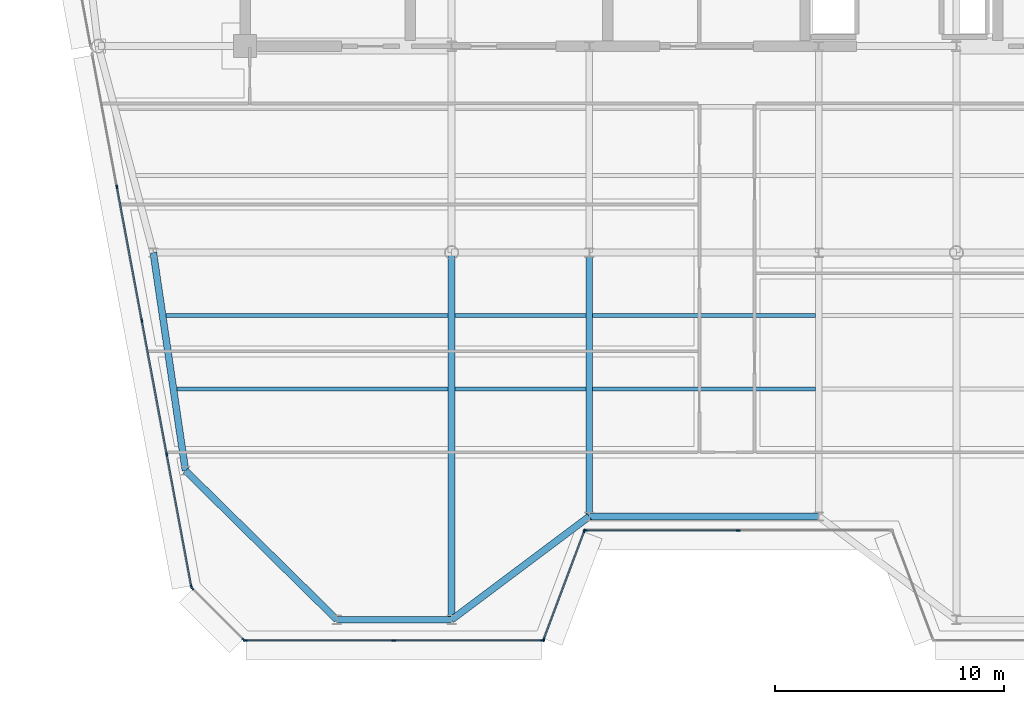
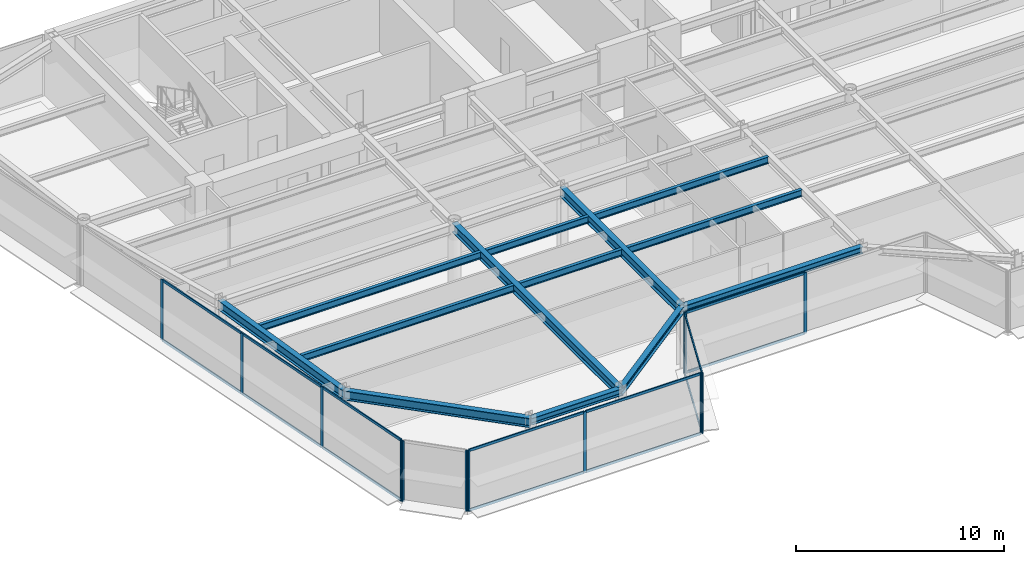
# One storey, part 3 of 18: 27 members, 13 beams, 5 elements without a shape of their own.
"""IFC4 building model written with IfcOpenShell, lengths in metres."""

from ifc_helpers import new_model, si_unit, direction, frame, origin, origin_2d, place, context, subcontext, project, spatial, rectangle, i_section, extrude, source, transform, mapped, material, layer, layer_set, material_profile, profile_set, type_object, element, aggregate, save


model = new_model("IFC4")

# Units and contexts
model_context = context("Model", 3, precision=1e-05, world=origin(), true_north=direction((0.0, 1.0)))
body_context = subcontext(model_context, "Body", "Model", "MODEL_VIEW")
ifc_project = project(units=[si_unit("LENGTHUNIT", "METRE"), si_unit("AREAUNIT", "SQUARE_METRE"), si_unit("VOLUMEUNIT", "CUBIC_METRE"), si_unit("PLANEANGLEUNIT", "RADIAN"), si_unit("MASSUNIT", "GRAM", prefix="KILO")], contexts=[model_context])

# Site, building, storey
site_placement = place(None, origin())
site = spatial("IfcSite", under=ifc_project, at=site_placement, CompositionType="ELEMENT")
building_placement = place(site_placement, origin())
building = spatial("IfcBuilding", under=site, at=building_placement, Name="Vaeldorn Concourse Tower", CompositionType="ELEMENT")
storey_placement = place(building_placement, frame((0.0, 0.0, 257.39990234375)))
storey = spatial("IfcBuildingStorey", under=building, at=storey_placement, Name="L66", CompositionType="ELEMENT", Elevation=257.39990234375)

# Beams
ifc_material_1 = material(Name="Steel S355", Category="steel")
ifc_material_profile_1 = material_profile(ifc_material_1, i_section(OverallWidth=0.300048828125, OverallDepth=0.39990234375, WebThickness=0.013427734375, FlangeThickness=0.02392578125, FilletRadius=0.027099609375, at=origin_2d()), Name="HEB 400")
ifc_profile_set_1 = profile_set([ifc_material_profile_1], Name="Steel S355")
beam_type_1 = type_object("IfcBeamType", Name="BM-SP-HEB400", PredefinedType="SPANDREL", material=ifc_profile_set_1)
shared_shape_1 = source(origin(), body_context, "Body", "SweptSolid", [
    extrude(i_section(OverallWidth=0.300048828125, OverallDepth=0.39990234375, WebThickness=0.013427734375, FlangeThickness=0.02392578125, FilletRadius=0.027099609375, at=origin_2d()), origin(), (0.0, 0.0, 1.0), 5.0),
])
beam_1_placement = place(storey_placement, frame((18.0, 11.5, 3.380126953125), z_axis=(1.0, 0.0, 0.0), x_axis=(0.0, 1.0, 0.0)))
element("IfcBeam", 1, at=beam_1_placement, inside=storey, type_object=beam_type_1, Name="Beam BM-L66-C-SF1-C-SF2", PredefinedType="SPANDREL", context=body_context, shape_type="MappedRepresentation", body=[
    mapped(shared_shape_1, transform((0.0, 0.0, 0.0), scale=1.0)),
])
shared_shape_2 = source(origin(), body_context, "Body", "SweptSolid", [
    extrude(i_section(OverallWidth=0.300048828125, OverallDepth=0.39990234375, WebThickness=0.013427734375, FlangeThickness=0.02392578125, FilletRadius=0.027099609375, at=origin_2d()), origin(), (0.0, 0.0, 1.0), 7.5),
])
beam_2_placement = place(storey_placement, frame((23.0, 11.5, 3.380126953125), z_axis=(0.8, 0.6, 0.0), x_axis=(-0.6, 0.8, 0.0)))
element("IfcBeam", 2, at=beam_2_placement, inside=storey, type_object=beam_type_1, Name="Beam BM-L66-C-SF2-C-SF3", PredefinedType="SPANDREL", context=body_context, shape_type="MappedRepresentation", body=[
    mapped(shared_shape_2, transform((0.0, 0.0, 0.0), scale=1.0)),
])
shared_shape_3 = source(origin(), body_context, "Body", "SweptSolid", [
    extrude(i_section(OverallWidth=0.300048828125, OverallDepth=0.39990234375, WebThickness=0.013427734375, FlangeThickness=0.02392578125, FilletRadius=0.027099609375, at=origin_2d()), origin(), (0.0, 0.0, 1.0), 10.0),
])
beam_3_placement = place(storey_placement, frame((29.0, 16.0, 3.380126953125), z_axis=(1.0, 0.0, 0.0), x_axis=(0.0, 1.0, 0.0)))
element("IfcBeam", 3, at=beam_3_placement, inside=storey, type_object=beam_type_1, Name="Beam BM-L66-C-SF3-C-SF4", PredefinedType="SPANDREL", context=body_context, shape_type="MappedRepresentation", body=[
    mapped(shared_shape_3, transform((0.0, 0.0, 0.0), scale=1.0)),
])
ifc_material_profile_2 = material_profile(ifc_material_1, i_section(OverallWidth=0.179931640625, OverallDepth=0.39990234375, WebThickness=0.008544921875, FlangeThickness=0.013427734375, FilletRadius=0.02099609375, at=origin_2d()), Name="IPE 400")
ifc_profile_set_2 = profile_set([ifc_material_profile_2], Name="Steel S355")
beam_type_2 = type_object("IfcBeamType", Name="BM-JS-IPE400", PredefinedType="JOIST", material=ifc_profile_set_2)
shared_shape_4 = source(origin(), body_context, "Body", "SweptSolid", [
    extrude(i_section(OverallWidth=0.179931640625, OverallDepth=0.39990234375, WebThickness=0.008544921875, FlangeThickness=0.013427734375, FilletRadius=0.02099609375, at=origin_2d()), origin(), (0.0, 0.0, 1.0), 5.7001953125),
])
for number, where, z_axis, x_axis, name in (
    (4, (23.14990234375, 21.56005859375, 3.380126953125), (1.0, 0.0, 0.0), (0.0, 1.0, 0.0), "Beam JS-L66-W2-215"),
    (5, (23.14990234375, 24.760009765625, 3.380126953125), (1.0, 0.0, 0.0), (0.0, 1.0, 0.0), "Beam JS-L66-W2-247"),
):
    element("IfcBeam", number, at=place(storey_placement, frame(where, z_axis=z_axis, x_axis=x_axis)), inside=storey, type_object=beam_type_2, Name=name, PredefinedType="JOIST", context=body_context, shape_type="MappedRepresentation", body=[
        mapped(shared_shape_4, transform((0.0, 0.0, 0.0), scale=1.0)),
    ])
shared_shape_5 = source(origin(), body_context, "Body", "SweptSolid", [
    extrude(i_section(OverallWidth=0.179931640625, OverallDepth=0.39990234375, WebThickness=0.008544921875, FlangeThickness=0.013427734375, FilletRadius=0.02099609375, at=origin_2d()), origin(), (0.0, 0.0, 1.0), 9.7001953125),
])
for number, where, z_axis, x_axis, name in (
    (6, (29.14990234375, 21.56005859375, 3.380126953125), (1.0, 0.0, 0.0), (0.0, 1.0, 0.0), "Beam JS-L66-C-215"),
    (7, (29.14990234375, 24.760009765625, 3.380126953125), (1.0, 0.0, 0.0), (0.0, 1.0, 0.0), "Beam JS-L66-C-247"),
):
    element("IfcBeam", number, at=place(storey_placement, frame(where, z_axis=z_axis, x_axis=x_axis)), inside=storey, type_object=beam_type_2, Name=name, PredefinedType="JOIST", context=body_context, shape_type="MappedRepresentation", body=[
        mapped(shared_shape_5, transform((0.0, 0.0, 0.0), scale=1.0)),
    ])
shared_shape_6 = source(origin(), body_context, "Body", "SweptSolid", [
    extrude(i_section(OverallWidth=0.179931640625, OverallDepth=0.39990234375, WebThickness=0.008544921875, FlangeThickness=0.013427734375, FilletRadius=0.02099609375, at=origin_2d()), origin(), (0.0, 0.0, 1.0), 11.82470703125),
])
beam_4_placement = place(storey_placement, frame((11.025390625, 21.56005859375, 3.380126953125), z_axis=(1.0, 0.0, 0.0), x_axis=(0.0, 1.0, 0.0)))
element("IfcBeam", 8, at=beam_4_placement, inside=storey, type_object=beam_type_2, Name="Beam JS-L66-W1-215", PredefinedType="JOIST", context=body_context, shape_type="MappedRepresentation", body=[
    mapped(shared_shape_6, transform((0.0, 0.0, 0.0), scale=1.0)),
])
shared_shape_7 = source(origin(), body_context, "Body", "SweptSolid", [
    extrude(i_section(OverallWidth=0.179931640625, OverallDepth=0.39990234375, WebThickness=0.008544921875, FlangeThickness=0.013427734375, FilletRadius=0.02099609375, at=origin_2d()), origin(), (0.0, 0.0, 1.0), 12.29638671875),
])
beam_5_placement = place(storey_placement, frame((10.5537109375, 24.760009765625, 3.380126953125), z_axis=(1.0, 0.0, 0.0), x_axis=(0.0, 1.0, 0.0)))
element("IfcBeam", 9, at=beam_5_placement, inside=storey, type_object=beam_type_2, Name="Beam JS-L66-W1-247", PredefinedType="JOIST", context=body_context, shape_type="MappedRepresentation", body=[
    mapped(shared_shape_7, transform((0.0, 0.0, 0.0), scale=1.0)),
])
ifc_material_profile_3 = material_profile(ifc_material_1, i_section(OverallWidth=0.300048828125, OverallDepth=0.550048828125, WebThickness=0.014892578125, FlangeThickness=0.029052734375, FilletRadius=0.027099609375, at=origin_2d()), Name="HEB 550")
ifc_profile_set_3 = profile_set([ifc_material_profile_3], Name="Steel S355")
beam_type_3 = type_object("IfcBeamType", Name="BM-PG-HEB550", PredefinedType="BEAM", material=ifc_profile_set_3)
shared_shape_8 = source(origin(), body_context, "Body", "SweptSolid", [
    extrude(i_section(OverallWidth=0.300048828125, OverallDepth=0.550048828125, WebThickness=0.014892578125, FlangeThickness=0.029052734375, FilletRadius=0.027099609375, at=origin_2d()), origin(), (0.0, 0.0, 1.0), 9.6025390625),
])
beam_6_placement = place(storey_placement, frame((10.0, 27.5, 3.30517578125), z_axis=(0.145783835977, -0.989316467652, 0.0), x_axis=(0.989316467652, 0.145783835977, 0.0)))
element("IfcBeam", 10, at=beam_6_placement, inside=storey, type_object=beam_type_3, Name="Beam BM-L66-C-FLW1-C-FLW2", PredefinedType="BEAM", context=body_context, shape_type="MappedRepresentation", body=[
    mapped(shared_shape_8, transform((0.0, 0.0, 0.0), scale=1.0)),
])
shared_shape_9 = source(origin(), body_context, "Body", "SweptSolid", [
    extrude(i_section(OverallWidth=0.300048828125, OverallDepth=0.550048828125, WebThickness=0.014892578125, FlangeThickness=0.029052734375, FilletRadius=0.027099609375, at=origin_2d()), origin(), (0.0, 0.0, 1.0), 9.263427734375),
])
beam_7_placement = place(storey_placement, frame((18.0, 11.5, 3.30517578125), z_axis=(-0.71248897494, 0.701683305053, 0.0), x_axis=(-0.701683305053, -0.71248897494, 0.0)))
element("IfcBeam", 11, at=beam_7_placement, inside=storey, type_object=beam_type_3, Name="Beam BM-L66-C-SF1-C-FLW2", PredefinedType="BEAM", context=body_context, shape_type="MappedRepresentation", body=[
    mapped(shared_shape_9, transform((0.0, 0.0, 0.0), scale=1.0)),
])
shared_shape_10 = source(origin(), body_context, "Body", "SweptSolid", [
    extrude(i_section(OverallWidth=0.300048828125, OverallDepth=0.550048828125, WebThickness=0.014892578125, FlangeThickness=0.029052734375, FilletRadius=0.027099609375, at=origin_2d()), origin(), (0.0, 0.0, 1.0), 16.0),
])
beam_8_placement = place(storey_placement, frame((23.0, 11.5, 3.30517578125), z_axis=(0.0, 1.0, 0.0), x_axis=(-1.0, 0.0, 0.0)))
element("IfcBeam", 12, at=beam_8_placement, inside=storey, type_object=beam_type_3, Name="Beam BM-L66-C-SF2-C-TW1", PredefinedType="BEAM", context=body_context, shape_type="MappedRepresentation", body=[
    mapped(shared_shape_10, transform((0.0, 0.0, 0.0), scale=1.0)),
])
shared_shape_11 = source(origin(), body_context, "Body", "SweptSolid", [
    extrude(i_section(OverallWidth=0.300048828125, OverallDepth=0.550048828125, WebThickness=0.014892578125, FlangeThickness=0.029052734375, FilletRadius=0.027099609375, at=origin_2d()), origin(), (0.0, 0.0, 1.0), 11.5),
])
beam_9_placement = place(storey_placement, frame((29.0, 16.0, 3.30517578125), z_axis=(0.0, 1.0, 0.0), x_axis=(-1.0, 0.0, 0.0)))
element("IfcBeam", 13, at=beam_9_placement, inside=storey, type_object=beam_type_3, Name="Beam BM-L66-C-SF3-C-TW2", PredefinedType="BEAM", context=body_context, shape_type="MappedRepresentation", body=[
    mapped(shared_shape_11, transform((0.0, 0.0, 0.0), scale=1.0)),
])

# Curtain wall, members
ifc_material_2 = material(Name="Anodised Bronze Aluminium", Category="aluminium")
ifc_layer = layer(ifc_material_2, 0.179931640625)
ifc_layer_set = layer_set([ifc_layer], Name="Anodised Bronze Aluminium")
curtain_wall_type = type_object("IfcCurtainWallType", Name="CW-SYS-05", PredefinedType="NOTDEFINED", material=ifc_layer_set)
curtain_wall_1_placement = place(storey_placement, origin())
curtain_wall_1 = element("IfcCurtainWall", 14, at=curtain_wall_1_placement, inside=storey, type_object=curtain_wall_type, Name="Unitised Curtain Wall CW-L66-E02-1", PredefinedType="NOTDEFINED")
ifc_material_profile_4 = material_profile(ifc_material_2, rectangle(XDim=0.06494140625, YDim=0.14990234375, at=origin_2d()), Name="CWT 65x150")
ifc_profile_set_4 = profile_set([ifc_material_profile_4], Name="Anodised Bronze Aluminium")
member_type_1 = type_object("IfcMemberType", Name="CWT-BRONZE-150", PredefinedType="USERDEFINED", material=ifc_profile_set_4)
shared_shape_12 = source(origin(), body_context, "Body", "SweptSolid", [
    extrude(rectangle(XDim=0.06494140625, YDim=0.14990234375, at=origin_2d()), origin(), (0.0, 0.0, 1.0), 4.996337890625),
])
member_1_placement = place(storey_placement, frame((27.022705078125, 10.660888671875, 0.03271484375), z_axis=(0.351134151405, 0.936325161318, 0.0), x_axis=(-0.936325161318, 0.351134151405, 0.0)))
member_1 = element("IfcMember", 15, at=member_1_placement, type_object=member_type_1, Name="CW-05 transom 1.1", ObjectType="TRANSOM", PredefinedType="USERDEFINED", context=body_context, shape_type="MappedRepresentation", body=[
    mapped(shared_shape_12, transform((0.0, 0.0, 0.0), scale=1.0)),
])
member_2_placement = place(storey_placement, frame((27.022705078125, 10.660888671875, 3.547607421875), z_axis=(0.351134151405, 0.936325161318, 0.0), x_axis=(-0.936325161318, 0.351134151405, 0.0)))
member_2 = element("IfcMember", 16, at=member_2_placement, type_object=member_type_1, Name="CW-05 transom 1.2", ObjectType="TRANSOM", PredefinedType="USERDEFINED", context=body_context, shape_type="MappedRepresentation", body=[
    mapped(shared_shape_12, transform((0.0, 0.0, 0.0), scale=1.0)),
])

curtain_wall_2_placement = place(storey_placement, origin())
curtain_wall_2 = element("IfcCurtainWall", 17, at=curtain_wall_2_placement, inside=storey, type_object=curtain_wall_type, Name="Unitised Curtain Wall CW-L66-E03-1", PredefinedType="NOTDEFINED")
shared_shape_13 = source(origin(), body_context, "Body", "SweptSolid", [
    extrude(rectangle(XDim=0.06494140625, YDim=0.14990234375, at=origin_2d()), origin(), (0.0, 0.0, 1.0), 6.6025390625),
])
member_3_placement = place(storey_placement, frame((28.864990234375, 15.39990234375, 0.03271484375), z_axis=(1.0, 0.0, 0.0), x_axis=(0.0, 1.0, 0.0)))
member_3 = element("IfcMember", 18, at=member_3_placement, type_object=member_type_1, Name="CW-05 transom 1.1", ObjectType="TRANSOM", PredefinedType="USERDEFINED", context=body_context, shape_type="MappedRepresentation", body=[
    mapped(shared_shape_13, transform((0.0, 0.0, 0.0), scale=1.0)),
])
member_4_placement = place(storey_placement, frame((28.864990234375, 15.39990234375, 3.547607421875), z_axis=(1.0, 0.0, 0.0), x_axis=(0.0, 1.0, 0.0)))
member_4 = element("IfcMember", 19, at=member_4_placement, type_object=member_type_1, Name="CW-05 transom 1.2", ObjectType="TRANSOM", PredefinedType="USERDEFINED", context=body_context, shape_type="MappedRepresentation", body=[
    mapped(shared_shape_13, transform((0.0, 0.0, 0.0), scale=1.0)),
])

curtain_wall_3_placement = place(storey_placement, origin())
curtain_wall_3 = element("IfcCurtainWall", 20, at=curtain_wall_3_placement, inside=storey, type_object=curtain_wall_type, Name="Unitised Curtain Wall CW-L66-E01-1", PredefinedType="NOTDEFINED")
ifc_material_profile_5 = material_profile(ifc_material_2, rectangle(XDim=0.06494140625, YDim=0.169921875, at=origin_2d()), Name="CWM 65x170")
ifc_profile_set_5 = profile_set([ifc_material_profile_5], Name="Anodised Bronze Aluminium")
member_type_2 = type_object("IfcMemberType", Name="CWM-BRONZE-170", PredefinedType="MULLION", material=ifc_profile_set_5)
shared_shape_14 = source(origin(), body_context, "Body", "SweptSolid", [
    extrude(rectangle(XDim=0.06494140625, YDim=0.169921875, at=origin_2d()), origin(), (0.0, 0.0, 1.0), 3.580078125),
])
member_5_placement = place(storey_placement, frame((13.99853515625, 10.60009765625, 0.0), z_axis=(0.0, 0.0, 1.0), x_axis=(0.0, 1.0, 0.0)))
member_5 = element("IfcMember", 21, at=member_5_placement, type_object=member_type_2, Name="CW-05 mullion 1", PredefinedType="MULLION", context=body_context, shape_type="MappedRepresentation", body=[
    mapped(shared_shape_14, transform((0.0, 0.0, 0.0), scale=1.0)),
])
member_6_placement = place(storey_placement, frame((20.48291015625, 10.60009765625, 0.0), z_axis=(0.0, 0.0, 1.0), x_axis=(0.0, 1.0, 0.0)))
member_6 = element("IfcMember", 22, at=member_6_placement, type_object=member_type_2, Name="CW-05 mullion 2", PredefinedType="MULLION", context=body_context, shape_type="MappedRepresentation", body=[
    mapped(shared_shape_14, transform((0.0, 0.0, 0.0), scale=1.0)),
])
member_7_placement = place(storey_placement, frame((26.967529296875, 10.60009765625, 0.0), z_axis=(0.0, 0.0, 1.0), x_axis=(0.0, 1.0, 0.0)))
member_7 = element("IfcMember", 23, at=member_7_placement, type_object=member_type_2, Name="CW-05 mullion 3", PredefinedType="MULLION", context=body_context, shape_type="MappedRepresentation", body=[
    mapped(shared_shape_14, transform((0.0, 0.0, 0.0), scale=1.0)),
])

# Member
member_8_placement = place(storey_placement, frame((27.011474609375, 10.63037109375, 0.0), z_axis=(0.0, 0.0, 1.0), x_axis=(-0.936329177566, 0.351123441595, 0.0)))
member_8 = element("IfcMember", 24, at=member_8_placement, type_object=member_type_2, Name="CW-05 mullion 1", PredefinedType="MULLION", context=body_context, shape_type="MappedRepresentation", body=[
    mapped(shared_shape_14, transform((0.0, 0.0, 0.0), scale=1.0)),
])

member_9_placement = place(storey_placement, frame((28.78857421875, 15.36962890625, 0.0), z_axis=(0.0, 0.0, 1.0), x_axis=(-0.936329177566, 0.351123441595, 0.0)))
member_9 = element("IfcMember", 25, at=member_9_placement, type_object=member_type_2, Name="CW-05 mullion 2", PredefinedType="MULLION", context=body_context, shape_type="MappedRepresentation", body=[
    mapped(shared_shape_14, transform((0.0, 0.0, 0.0), scale=1.0)),
])

aggregate(curtain_wall_1, [member_8, member_9, member_1, member_2])

member_10_placement = place(storey_placement, frame((28.83251953125, 15.39990234375, 0.0), z_axis=(0.0, 0.0, 1.0), x_axis=(0.0, 1.0, 0.0)))
member_10 = element("IfcMember", 26, at=member_10_placement, type_object=member_type_2, Name="CW-05 mullion 1", PredefinedType="MULLION", context=body_context, shape_type="MappedRepresentation", body=[
    mapped(shared_shape_14, transform((0.0, 0.0, 0.0), scale=1.0)),
])

member_11_placement = place(storey_placement, frame((35.5, 15.39990234375, 0.0), z_axis=(0.0, 0.0, 1.0), x_axis=(0.0, 1.0, 0.0)))
member_11 = element("IfcMember", 27, at=member_11_placement, type_object=member_type_2, Name="CW-05 mullion 2", PredefinedType="MULLION", context=body_context, shape_type="MappedRepresentation", body=[
    mapped(shared_shape_14, transform((0.0, 0.0, 0.0), scale=1.0)),
])

aggregate(curtain_wall_2, [member_10, member_11, member_3, member_4])

# Curtain wall, members
curtain_wall_4_placement = place(storey_placement, origin())
curtain_wall_4 = element("IfcCurtainWall", 28, at=curtain_wall_4_placement, inside=storey, type_object=curtain_wall_type, Name="Unitised Curtain Wall CW-L66-E11-2", PredefinedType="NOTDEFINED")
member_12_placement = place(storey_placement, frame((8.414306640625, 30.36376953125, 0.0), z_axis=(0.0, 0.0, 1.0), x_axis=(0.983102653673, 0.18305510739, 0.0)))
member_12 = element("IfcMember", 29, at=member_12_placement, type_object=member_type_2, Name="CW-05 mullion 2", PredefinedType="MULLION", context=body_context, shape_type="MappedRepresentation", body=[
    mapped(shared_shape_14, transform((0.0, 0.0, 0.0), scale=1.0)),
])
member_13_placement = place(storey_placement, frame((9.498046875, 24.54248046875, 0.0), z_axis=(0.0, 0.0, 1.0), x_axis=(0.983102653673, 0.18305510739, 0.0)))
member_13 = element("IfcMember", 30, at=member_13_placement, type_object=member_type_2, Name="CW-05 mullion 3", PredefinedType="MULLION", context=body_context, shape_type="MappedRepresentation", body=[
    mapped(shared_shape_14, transform((0.0, 0.0, 0.0), scale=1.0)),
])
member_14_placement = place(storey_placement, frame((10.58203125, 18.72119140625, 0.0), z_axis=(0.0, 0.0, 1.0), x_axis=(0.983102653673, 0.18305510739, 0.0)))
member_14 = element("IfcMember", 31, at=member_14_placement, type_object=member_type_2, Name="CW-05 mullion 4", PredefinedType="MULLION", context=body_context, shape_type="MappedRepresentation", body=[
    mapped(shared_shape_14, transform((0.0, 0.0, 0.0), scale=1.0)),
])
member_15_placement = place(storey_placement, frame((11.66015625, 12.931884765625, 0.0), z_axis=(0.0, 0.0, 1.0), x_axis=(0.983102653673, 0.18305510739, 0.0)))
member_15 = element("IfcMember", 32, at=member_15_placement, type_object=member_type_2, Name="CW-05 mullion 5", PredefinedType="MULLION", context=body_context, shape_type="MappedRepresentation", body=[
    mapped(shared_shape_14, transform((0.0, 0.0, 0.0), scale=1.0)),
])

curtain_wall_5_placement = place(storey_placement, origin())
curtain_wall_5 = element("IfcCurtainWall", 33, at=curtain_wall_5_placement, inside=storey, type_object=curtain_wall_type, Name="Unitised Curtain Wall CW-L66-E12-1", PredefinedType="NOTDEFINED")
member_16_placement = place(storey_placement, frame((11.68896484375, 12.876953125, 0.0), z_axis=(0.0, 0.0, 1.0), x_axis=(0.707106781187, 0.707106781187, 0.0)))
member_16 = element("IfcMember", 34, at=member_16_placement, type_object=member_type_2, Name="CW-05 mullion 1", PredefinedType="MULLION", context=body_context, shape_type="MappedRepresentation", body=[
    mapped(shared_shape_14, transform((0.0, 0.0, 0.0), scale=1.0)),
])
member_17_placement = place(storey_placement, frame((13.943115234375, 10.623046875, 0.0), z_axis=(0.0, 0.0, 1.0), x_axis=(0.707106781187, 0.707106781187, 0.0)))
member_17 = element("IfcMember", 35, at=member_17_placement, type_object=member_type_2, Name="CW-05 mullion 2", PredefinedType="MULLION", context=body_context, shape_type="MappedRepresentation", body=[
    mapped(shared_shape_14, transform((0.0, 0.0, 0.0), scale=1.0)),
])
aggregate(curtain_wall_5, [member_16, member_17])

# Member
shared_shape_15 = source(origin(), body_context, "Body", "SweptSolid", [
    extrude(rectangle(XDim=0.06494140625, YDim=0.14990234375, at=origin_2d()), origin(), (0.0, 0.0, 1.0), 5.82373046875),
])
member_18_placement = place(storey_placement, frame((10.588134765625, 18.689208984375, 0.03271484375), z_axis=(0.183030414843, -0.983107251139, 0.0), x_axis=(0.983107251139, 0.183030414843, 0.0)))
member_18 = element("IfcMember", 36, at=member_18_placement, type_object=member_type_1, Name="CW-05 transom 4.1", ObjectType="TRANSOM", PredefinedType="USERDEFINED", context=body_context, shape_type="MappedRepresentation", body=[
    mapped(shared_shape_15, transform((0.0, 0.0, 0.0), scale=1.0)),
])

member_19_placement = place(storey_placement, frame((10.588134765625, 18.689208984375, 3.547607421875), z_axis=(0.183030414843, -0.983107251139, 0.0), x_axis=(0.983107251139, 0.183030414843, 0.0)))
member_19 = element("IfcMember", 37, at=member_19_placement, type_object=member_type_1, Name="CW-05 transom 4.2", ObjectType="TRANSOM", PredefinedType="USERDEFINED", context=body_context, shape_type="MappedRepresentation", body=[
    mapped(shared_shape_15, transform((0.0, 0.0, 0.0), scale=1.0)),
])

shared_shape_16 = source(origin(), body_context, "Body", "SweptSolid", [
    extrude(rectangle(XDim=0.06494140625, YDim=0.14990234375, at=origin_2d()), origin(), (0.0, 0.0, 1.0), 5.856201171875),
])
member_20_placement = place(storey_placement, frame((8.420166015625, 30.331787109375, 0.03271484375), z_axis=(0.18305503402, -0.983102667334, 0.0), x_axis=(0.983102667334, 0.18305503402, 0.0)))
member_20 = element("IfcMember", 38, at=member_20_placement, type_object=member_type_1, Name="CW-05 transom 2.1", ObjectType="TRANSOM", PredefinedType="USERDEFINED", context=body_context, shape_type="MappedRepresentation", body=[
    mapped(shared_shape_16, transform((0.0, 0.0, 0.0), scale=1.0)),
])

member_21_placement = place(storey_placement, frame((8.420166015625, 30.331787109375, 3.547607421875), z_axis=(0.18305503402, -0.983102667334, 0.0), x_axis=(0.983102667334, 0.18305503402, 0.0)))
member_21 = element("IfcMember", 39, at=member_21_placement, type_object=member_type_1, Name="CW-05 transom 2.2", ObjectType="TRANSOM", PredefinedType="USERDEFINED", context=body_context, shape_type="MappedRepresentation", body=[
    mapped(shared_shape_16, transform((0.0, 0.0, 0.0), scale=1.0)),
])

member_22_placement = place(storey_placement, frame((9.504150390625, 24.510498046875, 0.03271484375), z_axis=(0.18305503402, -0.983102667334, 0.0), x_axis=(0.983102667334, 0.18305503402, 0.0)))
member_22 = element("IfcMember", 40, at=member_22_placement, type_object=member_type_1, Name="CW-05 transom 3.1", ObjectType="TRANSOM", PredefinedType="USERDEFINED", context=body_context, shape_type="MappedRepresentation", body=[
    mapped(shared_shape_16, transform((0.0, 0.0, 0.0), scale=1.0)),
])

member_23_placement = place(storey_placement, frame((9.504150390625, 24.510498046875, 3.547607421875), z_axis=(0.18305503402, -0.983102667334, 0.0), x_axis=(0.983102667334, 0.18305503402, 0.0)))
member_23 = element("IfcMember", 41, at=member_23_placement, type_object=member_type_1, Name="CW-05 transom 3.2", ObjectType="TRANSOM", PredefinedType="USERDEFINED", context=body_context, shape_type="MappedRepresentation", body=[
    mapped(shared_shape_16, transform((0.0, 0.0, 0.0), scale=1.0)),
])

aggregate(curtain_wall_4, [member_12, member_13, member_14, member_15, member_20, member_21, member_22, member_23, member_18, member_19])

shared_shape_17 = source(origin(), body_context, "Body", "SweptSolid", [
    extrude(rectangle(XDim=0.06494140625, YDim=0.14990234375, at=origin_2d()), origin(), (0.0, 0.0, 1.0), 6.41943359375),
])
member_24_placement = place(storey_placement, frame((14.031005859375, 10.60009765625, 0.03271484375), z_axis=(1.0, 0.0, 0.0), x_axis=(0.0, 1.0, 0.0)))
member_24 = element("IfcMember", 42, at=member_24_placement, type_object=member_type_1, Name="CW-05 transom 1.1", ObjectType="TRANSOM", PredefinedType="USERDEFINED", context=body_context, shape_type="MappedRepresentation", body=[
    mapped(shared_shape_17, transform((0.0, 0.0, 0.0), scale=1.0)),
])

member_25_placement = place(storey_placement, frame((14.031005859375, 10.60009765625, 3.547607421875), z_axis=(1.0, 0.0, 0.0), x_axis=(0.0, 1.0, 0.0)))
member_25 = element("IfcMember", 43, at=member_25_placement, type_object=member_type_1, Name="CW-05 transom 1.2", ObjectType="TRANSOM", PredefinedType="USERDEFINED", context=body_context, shape_type="MappedRepresentation", body=[
    mapped(shared_shape_17, transform((0.0, 0.0, 0.0), scale=1.0)),
])

shared_shape_18 = source(origin(), body_context, "Body", "SweptSolid", [
    extrude(rectangle(XDim=0.06494140625, YDim=0.14990234375, at=origin_2d()), origin(), (0.0, 0.0, 1.0), 6.419677734375),
])
member_26_placement = place(storey_placement, frame((20.515380859375, 10.60009765625, 0.03271484375), z_axis=(1.0, 0.0, 0.0), x_axis=(0.0, 1.0, 0.0)))
member_26 = element("IfcMember", 44, at=member_26_placement, type_object=member_type_1, Name="CW-05 transom 2.1", ObjectType="TRANSOM", PredefinedType="USERDEFINED", context=body_context, shape_type="MappedRepresentation", body=[
    mapped(shared_shape_18, transform((0.0, 0.0, 0.0), scale=1.0)),
])

member_27_placement = place(storey_placement, frame((20.515380859375, 10.60009765625, 3.547607421875), z_axis=(1.0, 0.0, 0.0), x_axis=(0.0, 1.0, 0.0)))
member_27 = element("IfcMember", 45, at=member_27_placement, type_object=member_type_1, Name="CW-05 transom 2.2", ObjectType="TRANSOM", PredefinedType="USERDEFINED", context=body_context, shape_type="MappedRepresentation", body=[
    mapped(shared_shape_18, transform((0.0, 0.0, 0.0), scale=1.0)),
])

aggregate(curtain_wall_3, [member_5, member_6, member_7, member_24, member_25, member_26, member_27])

save(model, "model.ifc")
